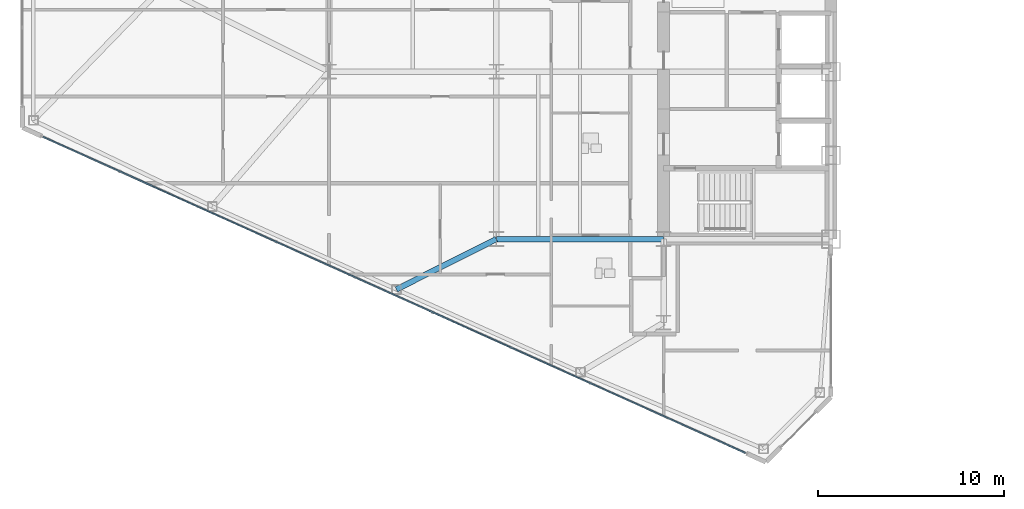
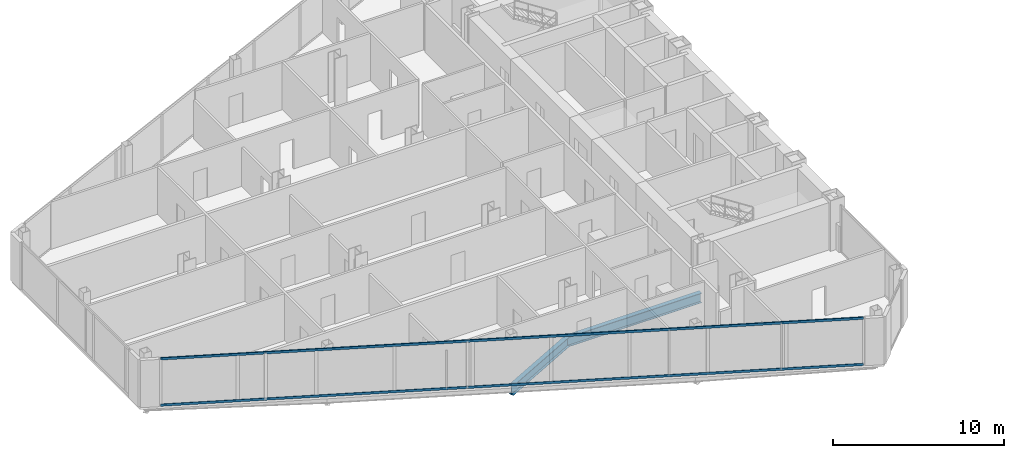
# One storey, part 4 of 27: 2 beams, 2 members, 1 element without a shape of its own.
"""IFC4 building model written with IfcOpenShell, lengths in metres."""

from ifc_helpers import new_model, si_unit, direction, frame, origin, origin_2d, place, context, subcontext, project, spatial, rectangle, i_section, extrude, source, transform, mapped, material, layer, layer_set, material_profile, profile_set, type_object, type_shapes, element, aggregate, save


model = new_model("IFC4")

# Units and contexts
model_context = context("Model", 3, precision=1e-05, world=origin(), true_north=direction((0.0, 1.0)))
body_context = subcontext(model_context, "Body", "Model", "MODEL_VIEW")
ifc_project = project(units=[si_unit("LENGTHUNIT", "METRE"), si_unit("AREAUNIT", "SQUARE_METRE"), si_unit("VOLUMEUNIT", "CUBIC_METRE"), si_unit("PLANEANGLEUNIT", "RADIAN"), si_unit("MASSUNIT", "GRAM", prefix="KILO")], contexts=[model_context])

# Site, building, storey
site_placement = place(None, origin())
site = spatial("IfcSite", under=ifc_project, at=site_placement, CompositionType="ELEMENT")
building_placement = place(site_placement, origin())
building = spatial("IfcBuilding", under=site, at=building_placement, Name="Seokmaru Belvedere", CompositionType="ELEMENT")
storey_placement = place(building_placement, frame((0.0, 0.0, 106.800048828125)))
storey = spatial("IfcBuildingStorey", under=building, at=storey_placement, Name="L28", CompositionType="ELEMENT", Elevation=106.800048828125)

# Beams
ifc_material_1 = material(Name="Steel SM355 (355 MPa)", Category="steel")
ifc_material_profile_1 = material_profile(ifc_material_1, i_section(OverallWidth=0.300048828125, OverallDepth=0.699951171875, WebThickness=0.012939453125, FlangeThickness=0.02392578125, at=origin_2d()), Name="H-700x300x13x24")
ifc_profile_set_1 = profile_set([ifc_material_profile_1], Name="Steel SM355 (355 MPa)")
beam_type = type_object("IfcBeamType", Name="Primary Floor Girder H-700", PredefinedType="BEAM", material=ifc_profile_set_1)
shared_shape_1 = source(origin(), body_context, "Body", "SweptSolid", [
    extrude(i_section(OverallWidth=0.300048828125, OverallDepth=0.699951171875, WebThickness=0.012939453125, FlangeThickness=0.02392578125, at=origin_2d()), origin(), (0.0, 0.0, 1.0), 9.0),
])
beam_1_placement = place(storey_placement, frame((-45.5, -13.5, -0.570068359375), z_axis=(1.0, 0.0, 0.0), x_axis=(0.0, 1.0, 0.0)))
element("IfcBeam", 1, at=beam_1_placement, inside=storey, type_object=beam_type, Name="L28 W Wing Primary Girder 1", PredefinedType="BEAM", context=body_context, shape_type="MappedRepresentation", body=[
    mapped(shared_shape_1, transform((0.0, 0.0, 0.0), scale=1.0)),
])
shared_shape_2 = source(origin(), body_context, "Body", "SweptSolid", [
    extrude(i_section(OverallWidth=0.300048828125, OverallDepth=0.699951171875, WebThickness=0.012939453125, FlangeThickness=0.02392578125, at=origin_2d()), origin(), (0.0, 0.0, 1.0), 6.017333984375),
])
type_shapes(beam_type, [shared_shape_1, shared_shape_2])
beam_2_placement = place(storey_placement, frame((-50.875, -16.205322265625, -0.570068359375), z_axis=(0.893239341975, 0.449581447512, 0.0), x_axis=(-0.449581447512, 0.893239341975, 0.0)))
element("IfcBeam", 2, at=beam_2_placement, inside=storey, type_object=beam_type, Name="L28 W Flank Radial Floor Girder S-2", PredefinedType="BEAM", context=body_context, shape_type="MappedRepresentation", body=[
    mapped(shared_shape_2, transform((0.0, 0.0, 0.0), scale=1.0)),
])

# Curtain wall, members
ifc_material_2 = material(Name="Bronze Triple Insulating Glass", Category="glass")
ifc_layer = layer(ifc_material_2, 0.195068359375)
ifc_layer_set = layer_set([ifc_layer], Name="Bronze Triple Insulating Glass")
curtain_wall_type = type_object("IfcCurtainWallType", Name="Lower-Mid Tapered Curtain Wall System CW-3", PredefinedType="NOTDEFINED", material=ifc_layer_set)
curtain_wall_placement = place(storey_placement, origin())
curtain_wall = element("IfcCurtainWall", 3, at=curtain_wall_placement, inside=storey, type_object=curtain_wall_type, Name="L28 Curtain Wall WF5", PredefinedType="NOTDEFINED")
ifc_material_3 = material(Name="Anodised Bronze Aluminium", Category="aluminium")
ifc_material_profile_2 = material_profile(ifc_material_3, rectangle(XDim=0.070068359375, YDim=0.1650390625, at=origin_2d()), Name="CW-T-70x165")
ifc_profile_set_2 = profile_set([ifc_material_profile_2], Name="Anodised Bronze Aluminium")
member_type = type_object("IfcMemberType", Name="Bronze Unitised Transom 70x165", PredefinedType="USERDEFINED", material=ifc_profile_set_2)
shared_shape_3 = source(origin(), body_context, "Body", "SweptSolid", [
    extrude(rectangle(XDim=0.070068359375, YDim=0.1650390625, at=origin_2d()), origin(), (0.0, 0.0, 1.0), 41.423583984375),
])
type_shapes(member_type, [shared_shape_3])
member_1_placement = place(storey_placement, frame((-69.887451171875, -8.00048828125, 0.034912109375), z_axis=(0.911918637916, -0.410371048956, 0.0), x_axis=(0.410371048956, 0.911918637916, 0.0)))
member_1 = element("IfcMember", 4, at=member_1_placement, type_object=member_type, Name="CW:L28:WF5 Continuous Transom 1", ObjectType="TRANSOM", PredefinedType="USERDEFINED", context=body_context, shape_type="MappedRepresentation", body=[
    mapped(shared_shape_3, transform((0.0, 0.0, 0.0), scale=1.0)),
])
member_2_placement = place(storey_placement, frame((-69.887451171875, -8.00048828125, 3.344970703125), z_axis=(0.911918637916, -0.410371048956, 0.0), x_axis=(0.410371048956, 0.911918637916, 0.0)))
member_2 = element("IfcMember", 5, at=member_2_placement, type_object=member_type, Name="CW:L28:WF5 Continuous Transom 2", ObjectType="TRANSOM", PredefinedType="USERDEFINED", context=body_context, shape_type="MappedRepresentation", body=[
    mapped(shared_shape_3, transform((0.0, 0.0, 0.0), scale=1.0)),
])
aggregate(curtain_wall, [member_1, member_2])

save(model, "model.ifc")
